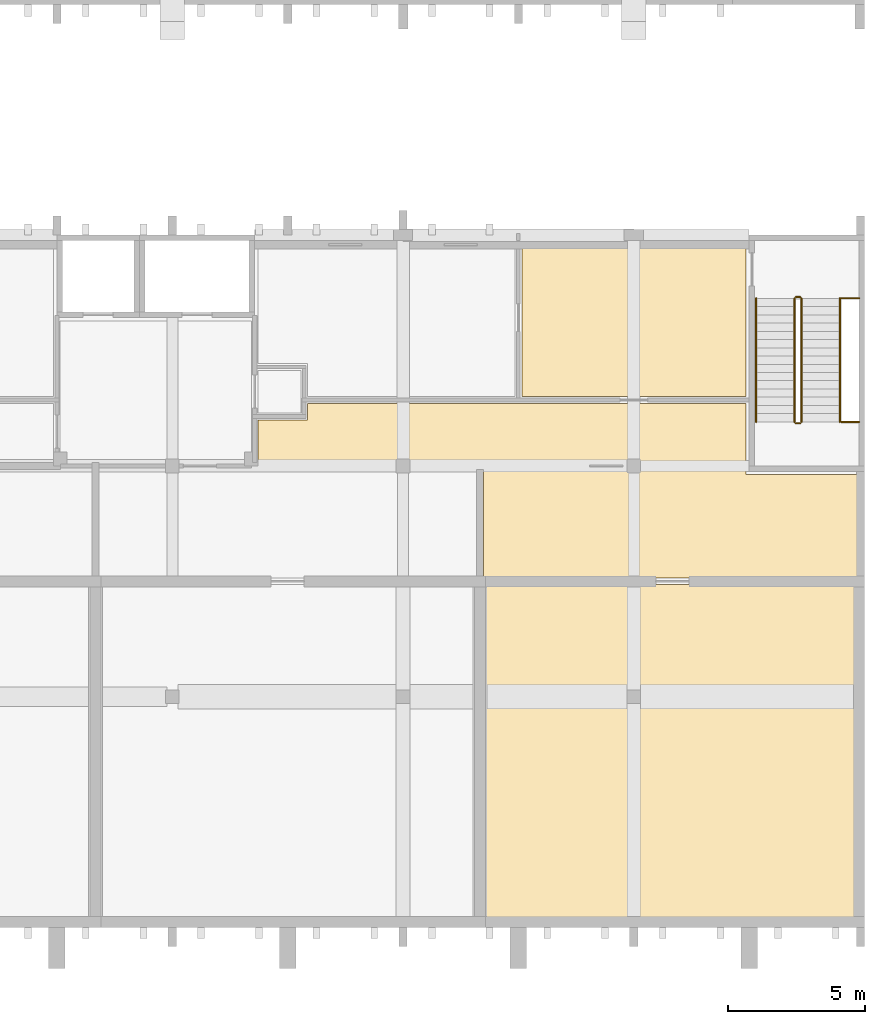
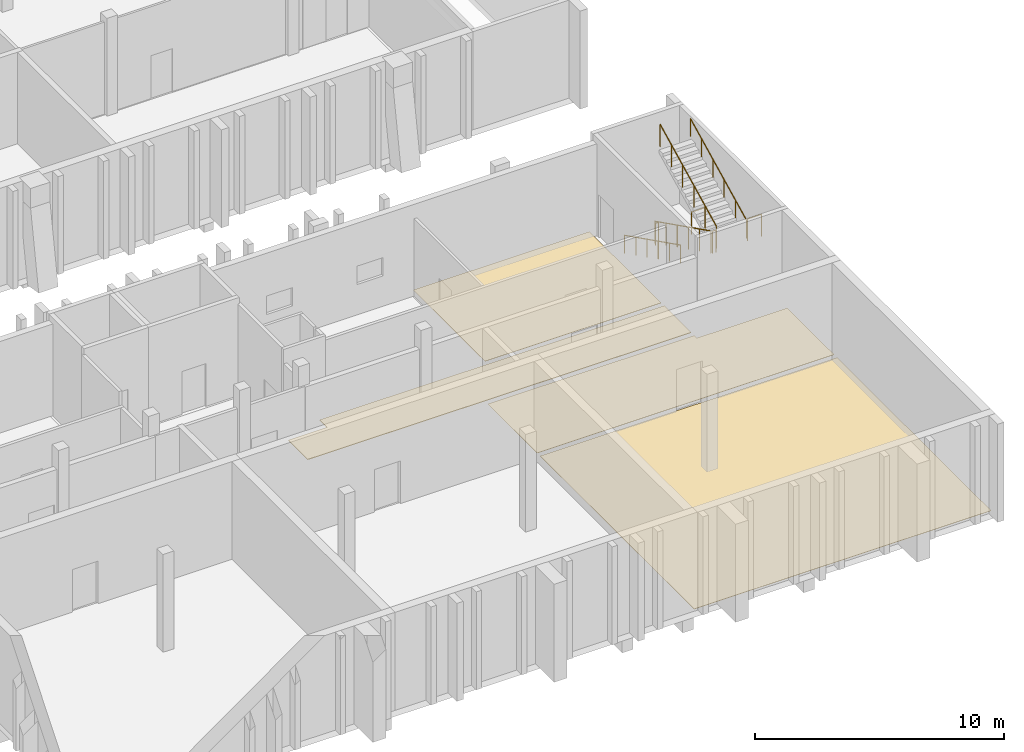
# One storey, part 84 of 86: 8 railings, 4 coverings.
"""IFC4 building model written with IfcOpenShell, lengths in metres."""

import ifcopenshell
import ifcopenshell.guid

model = None  # the IFC model being written
_history = None  # IfcOwnerHistory: only IFC2X3 demands one
_inside = {}  # id of a spatial element -> (the spatial element, [elements in it])
_under = {}  # id of a project, library or spatial element -> (it, [spatial elements below it])
_declared = {}  # id of a project -> (the project, [libraries it declares])
_typed = {}  # id of a type object -> (the type object, [elements of that type])
_made_of = {}  # id of a material, layer set ... -> (it, [elements and type objects made of it])


def new_model(schema):
    """Start an empty IFC model of exactly this schema.

    Asked for "IFC4X3", IfcOpenShell would pick the latest addendum, in which some entities
    have other attributes; the version numbers below select the first issue.
    IFC2X3 requires an IfcOwnerHistory on every rooted entity: one is made here for all.
    """
    global model, _history
    if schema == "IFC4X3":
        model = ifcopenshell.file(schema_version=(4, 3, 0, 0))
    else:
        model = ifcopenshell.file(schema=schema)
    _inside.clear()
    _under.clear()
    _declared.clear()
    _typed.clear()
    _made_of.clear()
    _history = None
    if model.schema == "IFC2X3":
        org = make("IfcOrganization", Name="unknown")
        user = make(
            "IfcPersonAndOrganization",
            ThePerson=make("IfcPerson", FamilyName="unknown"),
            TheOrganization=org,
        )
        app = make(
            "IfcApplication",
            ApplicationDeveloper=org,
            Version="unknown",
            ApplicationFullName="unknown",
            ApplicationIdentifier="unknown",
        )
        _history = make(
            "IfcOwnerHistory",
            OwningUser=user,
            OwningApplication=app,
            ChangeAction="ADDED",
            CreationDate=0,
        )
    return model


def make(cls, **values):
    """One entity of the class cls with the attributes given. An attribute that is None is left unset."""
    return model.create_entity(
        cls, **{name: value for name, value in values.items() if value is not None}
    )


def rooted(cls, **values):
    """An entity with a GlobalId (a new one), such as an element, a storey or a relation."""
    return make(cls, GlobalId=ifcopenshell.guid.new(), OwnerHistory=_history, **values)


def si_unit(unit_type, name, prefix=None):
    """IfcSIUnit, for example si_unit("LENGTHUNIT", "METRE", prefix="MILLI")."""
    return make("IfcSIUnit", UnitType=unit_type, Prefix=prefix, Name=name)


def assignment(units):
    """IfcUnitAssignment: the units of a project."""
    return None if units is None else make("IfcUnitAssignment", Units=units)


def point(xyz):
    """IfcCartesianPoint."""
    return None if xyz is None else make("IfcCartesianPoint", Coordinates=xyz)


def direction(xyz):
    """IfcDirection."""
    return None if xyz is None else make("IfcDirection", DirectionRatios=xyz)


def frame(location, z_axis=None, x_axis=None):
    """IfcAxis2Placement3D, a coordinate frame: its origin and axes. An axis left out is left unset."""
    return make(
        "IfcAxis2Placement3D",
        Location=point(location),
        Axis=direction(z_axis),
        RefDirection=direction(x_axis),
    )


def frame_2d(location, x_axis=None):
    """IfcAxis2Placement2D, a coordinate frame in the plane: its origin and x axis."""
    return make(
        "IfcAxis2Placement2D", Location=point(location), RefDirection=direction(x_axis)
    )


def origin():
    """The frame at (0, 0, 0) with its axes left unset."""
    return frame((0.0, 0.0, 0.0))


def origin_2d():
    """The frame at (0, 0) in the plane with its x axis left unset."""
    return frame_2d((0.0, 0.0))


def place(relative_to, where):
    """IfcLocalPlacement: puts the frame where relative to a parent placement (None: the world)."""
    return make(
        "IfcLocalPlacement", PlacementRelTo=relative_to, RelativePlacement=where
    )


def context(
    kind, dimensions, precision=None, world=None, true_north=None, identifier=None
):
    """IfcGeometricRepresentationContext, for example the 3D "Model" context."""
    return make(
        "IfcGeometricRepresentationContext",
        ContextIdentifier=identifier,
        ContextType=kind,
        CoordinateSpaceDimension=dimensions,
        Precision=precision,
        WorldCoordinateSystem=world,
        TrueNorth=true_north,
    )


def subcontext(parent, identifier, kind, view, scale=None):
    """IfcGeometricRepresentationSubContext, for example "Body" below "Model"."""
    return make(
        "IfcGeometricRepresentationSubContext",
        ContextIdentifier=identifier,
        ContextType=kind,
        ParentContext=parent,
        TargetScale=scale,
        TargetView=view,
    )


def project(units=None, contexts=None):
    """IfcProject with its units and contexts."""
    return rooted(
        "IfcProject",
        Name="project",
        RepresentationContexts=contexts,
        UnitsInContext=assignment(units),
    )


def spatial(cls, under=None, at=None, **own):
    """A site, building, storey or space (cls), placed at a placement, below another one or the project."""
    s = rooted(cls, ObjectPlacement=at, **own)
    if under is not None:
        _under.setdefault(under.id(), (under, []))[1].append(s)
    return s


def polyline(points):
    """IfcPolyline through the points."""
    return make("IfcPolyline", Points=[point(p) for p in points])


def profile(cls, at=None, kind="AREA", **sizes):
    """A parametric profile (cls). Its sizes go by their IFC names, for example OverallWidth=200.0."""
    return make(cls, ProfileType=kind, Position=at, **sizes)


def circle(**sizes):
    """IfcCircleProfileDef."""
    return profile("IfcCircleProfileDef", **sizes)


def outline(outer, holes=None, kind="AREA"):
    """IfcArbitraryClosedProfileDef: a profile drawn as a closed curve; with holes, ...WithVoids."""
    if holes is None:
        return make("IfcArbitraryClosedProfileDef", ProfileType=kind, OuterCurve=outer)
    return make(
        "IfcArbitraryProfileDefWithVoids",
        ProfileType=kind,
        OuterCurve=outer,
        InnerCurves=holes,
    )


def extrude(swept, where, along, depth):
    """IfcExtrudedAreaSolid: the profile swept, set in the frame where, extruded along a direction by depth."""
    return make(
        "IfcExtrudedAreaSolid",
        SweptArea=swept,
        Position=where,
        ExtrudedDirection=direction(along),
        Depth=depth,
    )


def shape(context_of_items, identifier, shape_type, items):
    """IfcShapeRepresentation: the items that make up one representation, for example the "Body"."""
    return make(
        "IfcShapeRepresentation",
        ContextOfItems=context_of_items,
        RepresentationIdentifier=identifier,
        RepresentationType=shape_type,
        Items=items,
    )


def material(Name=None, Category=None):
    """IfcMaterial."""
    return make("IfcMaterial", Name=Name, Category=Category)


def layer(
    of_material, thickness, ventilated=None, Name=None, Category=None, Priority=None
):
    """IfcMaterialLayer: one layer of a wall or slab, of a material (None: an air gap)."""
    return make(
        "IfcMaterialLayer",
        Material=of_material,
        LayerThickness=thickness,
        IsVentilated=ventilated,
        Name=Name,
        Category=Category,
        Priority=Priority,
    )


def layer_set(layers, Name=None):
    """IfcMaterialLayerSet."""
    return make("IfcMaterialLayerSet", MaterialLayers=layers, LayerSetName=Name)


def made_of(thing, what):
    """Note that an element or type object is made of a material, layer set ...; save() writes the relation."""
    if what is not None:
        _made_of.setdefault(what.id(), (what, []))[1].append(thing)
    return thing


def type_object(cls, material=None, **own):
    """A type object (cls), such as IfcWallType, which elements share."""
    return made_of(rooted(cls, **own), material)


def element(
    cls,
    number,
    at=None,
    inside=None,
    cuts=None,
    type_object=None,
    material=None,
    context=None,
    identifier="Body",
    shape_type=None,
    held_by="IfcProductDefinitionShape",
    body=None,
    shapes=None,
    **own,
):
    """One element of the class cls, such as IfcWall. Its Tag is "e" and its number.

    at: its placement. inside: the storey or other place that contains it. cuts: it is an
    opening in that element (IfcRelVoidsElement). A single representation is given by context,
    identifier, shape_type and body (its items); several are given by shapes. held_by: the class
    of the entity that holds the representations. save() writes the other relations.
    """
    e = rooted(cls, Tag="e%d" % number, ObjectPlacement=at, **own)
    if body is not None:
        shapes = [shape(context, identifier, shape_type, body)]
    if shapes is not None:
        e.Representation = make(held_by, Representations=shapes)
    if inside is not None:
        _inside.setdefault(inside.id(), (inside, []))[1].append(e)
    if cuts is not None:
        rooted(
            "IfcRelVoidsElement", RelatingBuildingElement=cuts, RelatedOpeningElement=e
        )
    if type_object is not None:
        _typed.setdefault(type_object.id(), (type_object, []))[1].append(e)
    return made_of(e, material)


def aggregate(whole, parts):
    """IfcRelAggregates: a whole, such as a stair, and the parts it consists of."""
    return rooted("IfcRelAggregates", RelatingObject=whole, RelatedObjects=parts)


def save(model, path):
    """Write the relations noted so far, then the file.

    IfcRelAggregates (storeys below a building ...), IfcRelContainedInSpatialStructure (elements
    in a storey), IfcRelDefinesByType, IfcRelAssociatesMaterial and IfcRelDeclares: one each for
    every whole, place, type object, material and project.
    """
    for whole, parts in _under.values():
        aggregate(whole, parts)
    for where, things in _inside.values():
        rooted(
            "IfcRelContainedInSpatialStructure",
            RelatedElements=things,
            RelatingStructure=where,
        )
    for kind, things in _typed.values():
        rooted("IfcRelDefinesByType", RelatedObjects=things, RelatingType=kind)
    for what, things in _made_of.values():
        rooted("IfcRelAssociatesMaterial", RelatedObjects=things, RelatingMaterial=what)
    for by, libraries in _declared.values():
        rooted("IfcRelDeclares", RelatingContext=by, RelatedDefinitions=libraries)
    model.write(path)


model = new_model("IFC4")

# Units and contexts
model_context = context("Model", 3, precision=1e-05, world=origin(), true_north=direction((0.0, 1.0)))
body_context = subcontext(model_context, "Body", "Model", "MODEL_VIEW")
ifc_project = project(units=[si_unit("LENGTHUNIT", "METRE"), si_unit("AREAUNIT", "SQUARE_METRE"), si_unit("VOLUMEUNIT", "CUBIC_METRE"), si_unit("PLANEANGLEUNIT", "RADIAN"), si_unit("MASSUNIT", "GRAM", prefix="KILO")], contexts=[model_context])

# Site, building, storey
site_placement = place(None, origin())
site = spatial("IfcSite", under=ifc_project, at=site_placement, CompositionType="ELEMENT")
building_placement = place(site_placement, origin())
building = spatial("IfcBuilding", under=site, at=building_placement, Name="Kiln Court Media Centre", CompositionType="ELEMENT")
storey_placement = place(building_placement, frame((0.0, 0.0, 10.199951171875)))
storey = spatial("IfcBuildingStorey", under=building, at=storey_placement, Name="L02", CompositionType="ELEMENT", Elevation=10.199951171875)

# Coverings
ifc_material_1 = material(Name="Carpet tile")
ifc_layer_1 = layer(ifc_material_1, 0.014892578125)
ifc_layer_set_1 = layer_set([ifc_layer_1], Name="Carpet tile floor finish 15")
covering_type_1 = type_object("IfcCoveringType", Name="Carpet tile floor finish 15", PredefinedType="FLOORING", material=ifc_layer_set_1)
covering_1_placement = place(storey_placement, origin())
element("IfcCovering", 1, at=covering_1_placement, inside=storey, type_object=covering_type_1, Name="Radio Studio 3 floor finish", PredefinedType="FLOORING", context=body_context, shape_type="SweptSolid", body=[
    extrude(outline(polyline([(154.1201171875, 0.1201171875), (167.8798828125, 0.1201171875), (167.8798828125, 12.47998046875), (154.1201171875, 12.47998046875), (154.1201171875, 0.1201171875)])), origin(), (0.0, 0.0, 1.0), 0.01513671875),
])
covering_2_placement = place(storey_placement, origin())
element("IfcCovering", 2, at=covering_2_placement, inside=storey, type_object=covering_type_1, Name="Radio Control Room 3 floor finish", PredefinedType="FLOORING", context=body_context, shape_type="SweptSolid", body=[
    extrude(outline(polyline([(167.8798828125, 12.719970703125), (167.8798828125, 16.47998046875), (163.679931640625, 16.47998046875), (163.679931640625, 16.679931640625), (154.1201171875, 16.679931640625), (154.1201171875, 12.719970703125), (167.8798828125, 12.719970703125)])), origin(), (0.0, 0.0, 1.0), 0.01513671875),
])
covering_3_placement = place(storey_placement, origin())
element("IfcCovering", 3, at=covering_3_placement, inside=storey, type_object=covering_type_1, Name="Radio Production Suite floor finish", PredefinedType="FLOORING", context=body_context, shape_type="SweptSolid", body=[
    extrude(outline(polyline([(155.52001953125, 19.320068359375), (163.679931640625, 19.320068359375), (163.679931640625, 25.080078125), (155.52001953125, 25.080078125), (155.52001953125, 19.320068359375)])), origin(), (0.0, 0.0, 1.0), 0.01513671875),
])
ifc_material_2 = material(Name="Terrazzo")
ifc_layer_2 = layer(ifc_material_2, 0.02490234375)
ifc_layer_set_2 = layer_set([ifc_layer_2], Name="Polished terrazzo floor finish 25")
covering_type_2 = type_object("IfcCoveringType", Name="Polished terrazzo floor finish 25", PredefinedType="FLOORING", material=ifc_layer_set_2)
covering_4_placement = place(storey_placement, origin())
element("IfcCovering", 4, at=covering_4_placement, inside=storey, type_object=covering_type_2, Name="Studio Corridor floor finish", PredefinedType="FLOORING", context=body_context, shape_type="SweptSolid", body=[
    extrude(outline(polyline([(163.679931640625, 19.080078125), (147.719970703125, 19.080078125), (147.719970703125, 18.47998046875), (145.919921875, 18.47998046875), (145.919921875, 16.919921875), (163.679931640625, 16.919921875), (163.679931640625, 19.080078125)])), origin(), (0.0, 0.0, 1.0), 0.025146484375),
])

# Railings
ifc_material_3 = material(Name="Steel S275", Category="steel")
railing_type_1 = type_object("IfcRailingType", Name="Steel S275 stair guard 1100", PredefinedType="GUARDRAIL", material=ifc_material_3)
railing_1_placement = place(storey_placement, frame((165.449951171875, 22.89990234375, 0.150146484375)))
element("IfcRailing", 5, at=railing_1_placement, inside=storey, type_object=railing_type_1, Name="ST-17 stair guard", PredefinedType="GUARDRAIL", context=body_context, shape_type="SweptSolid", body=[
    extrude(circle(Radius=0.02392578125, at=origin_2d()), frame((0.0, 0.0, 1.076171875), z_axis=(0.0, -0.894427191, 0.4472135955), x_axis=(1.0, 0.0, 0.0)), (0.0, 0.0, 1.0), 5.03125),
    extrude(circle(Radius=0.02099609375, at=origin_2d()), origin(), (0.0, 0.0, 1.0), 1.052001953125),
    extrude(circle(Radius=0.02099609375, at=origin_2d()), frame((0.0, -0.89990234375, 0.449951171875)), (0.0, 0.0, 1.0), 1.052001953125),
    extrude(circle(Radius=0.02099609375, at=origin_2d()), frame((0.0, -1.800048828125, 0.89990234375)), (0.0, 0.0, 1.0), 1.052001953125),
    extrude(circle(Radius=0.02099609375, at=origin_2d()), frame((0.0, -2.699951171875, 1.35009765625)), (0.0, 0.0, 1.0), 1.052001953125),
    extrude(circle(Radius=0.02099609375, at=origin_2d()), frame((0.0, -3.60009765625, 1.800048828125)), (0.0, 0.0, 1.0), 1.052001953125),
    extrude(circle(Radius=0.02099609375, at=origin_2d()), frame((0.0, -4.5, 2.25)), (0.0, 0.0, 1.0), 1.052001953125),
])
railing_2_placement = place(storey_placement, frame((165.5, 18.35009765625, 2.400146484375)))
element("IfcRailing", 6, at=railing_2_placement, inside=storey, type_object=railing_type_1, Name="ST-17 stair guard", PredefinedType="GUARDRAIL", context=body_context, shape_type="SweptSolid", body=[
    extrude(circle(Radius=0.02392578125, at=origin_2d()), frame((0.0, 0.0, 1.076171875), z_axis=(1.0, 0.0, 0.0), x_axis=(0.0, 1.0, 0.0)), (0.0, 0.0, 1.0), 0.14990234375),
    extrude(circle(Radius=0.02099609375, at=origin_2d()), origin(), (0.0, 0.0, 1.0), 1.052001953125),
    extrude(circle(Radius=0.02099609375, at=origin_2d()), frame((0.14990234375, 0.0, 0.0)), (0.0, 0.0, 1.0), 1.052001953125),
])
railing_3_placement = place(storey_placement, frame((165.699951171875, 18.39990234375, 2.550048828125)))
element("IfcRailing", 7, at=railing_3_placement, inside=storey, type_object=railing_type_1, Name="ST-17 stair guard", PredefinedType="GUARDRAIL", context=body_context, shape_type="SweptSolid", body=[
    extrude(circle(Radius=0.02392578125, at=origin_2d()), frame((0.0, 0.0, 1.076171875), z_axis=(0.0, 0.894427191, 0.4472135955), x_axis=(-1.0, 0.0, 0.0)), (0.0, 0.0, 1.0), 5.03125),
    extrude(circle(Radius=0.02099609375, at=origin_2d()), origin(), (0.0, 0.0, 1.0), 1.052001953125),
    extrude(circle(Radius=0.02099609375, at=origin_2d()), frame((0.0, 0.89990234375, 0.449951171875)), (0.0, 0.0, 1.0), 1.052001953125),
    extrude(circle(Radius=0.02099609375, at=origin_2d()), frame((0.0, 1.800048828125, 0.89990234375)), (0.0, 0.0, 1.0), 1.052001953125),
    extrude(circle(Radius=0.02099609375, at=origin_2d()), frame((0.0, 2.699951171875, 1.35009765625)), (0.0, 0.0, 1.0), 1.052001953125),
    extrude(circle(Radius=0.02099609375, at=origin_2d()), frame((0.0, 3.60009765625, 1.800048828125)), (0.0, 0.0, 1.0), 1.052001953125),
    extrude(circle(Radius=0.02099609375, at=origin_2d()), frame((0.0, 4.5, 2.25)), (0.0, 0.0, 1.0), 1.052001953125),
])
railing_4_placement = place(storey_placement, frame((165.5, 22.949951171875, 0.0)))
element("IfcRailing", 8, at=railing_4_placement, inside=storey, type_object=railing_type_1, Name="ST-17 stair guard", PredefinedType="GUARDRAIL", context=body_context, shape_type="SweptSolid", body=[
    extrude(circle(Radius=0.02392578125, at=origin_2d()), frame((0.0, 0.0, 1.076171875), z_axis=(1.0, 0.0, 0.0), x_axis=(0.0, 1.0, 0.0)), (0.0, 0.0, 1.0), 0.14990234375),
    extrude(circle(Radius=0.02099609375, at=origin_2d()), origin(), (0.0, 0.0, 1.0), 1.052001953125),
    extrude(circle(Radius=0.02099609375, at=origin_2d()), frame((0.14990234375, 0.0, 0.0)), (0.0, 0.0, 1.0), 1.052001953125),
])
for number, where, name in (
    (9, (167.14990234375, 18.39990234375, 2.400146484375), "ST-17 landing edge guard"),
    (10, (167.14990234375, 22.89990234375, 0.0), "ST-17 landing edge guard"),
):
    element("IfcRailing", number, at=place(storey_placement, frame(where)), inside=storey, type_object=railing_type_1, Name=name, PredefinedType="GUARDRAIL", context=body_context, shape_type="SweptSolid", body=[
        extrude(circle(Radius=0.02392578125, at=origin_2d()), frame((0.0, 0.0, 1.076171875), z_axis=(1.0, 0.0, 0.0), x_axis=(0.0, 1.0, 0.0)), (0.0, 0.0, 1.0), 0.650146484375),
        extrude(circle(Radius=0.02099609375, at=origin_2d()), origin(), (0.0, 0.0, 1.0), 1.052001953125),
        extrude(circle(Radius=0.02099609375, at=origin_2d()), frame((0.650146484375, 0.0, 0.0)), (0.0, 0.0, 1.0), 1.052001953125),
    ])
ifc_material_4 = material(Name="Steel S275", Category="steel")
railing_type_2 = type_object("IfcRailingType", Name="Steel S275 stair handrail 900", PredefinedType="HANDRAIL", material=ifc_material_4)
railing_5_placement = place(storey_placement, frame((164.050048828125, 22.89990234375, 0.150146484375)))
element("IfcRailing", 11, at=railing_5_placement, inside=storey, type_object=railing_type_2, Name="ST-17 stair handrail", PredefinedType="HANDRAIL", context=body_context, shape_type="SweptSolid", body=[
    extrude(circle(Radius=0.02392578125, at=origin_2d()), frame((0.0, 0.0, 0.8759765625), z_axis=(0.0, -0.894427191, 0.4472135955), x_axis=(1.0, 0.0, 0.0)), (0.0, 0.0, 1.0), 5.03125),
    extrude(circle(Radius=0.02099609375, at=origin_2d()), origin(), (0.0, 0.0, 1.0), 0.851806640625),
    extrude(circle(Radius=0.02099609375, at=origin_2d()), frame((0.0, -0.89990234375, 0.449951171875)), (0.0, 0.0, 1.0), 0.851806640625),
    extrude(circle(Radius=0.02099609375, at=origin_2d()), frame((0.0, -1.800048828125, 0.89990234375)), (0.0, 0.0, 1.0), 0.851806640625),
    extrude(circle(Radius=0.02099609375, at=origin_2d()), frame((0.0, -2.699951171875, 1.35009765625)), (0.0, 0.0, 1.0), 0.851806640625),
    extrude(circle(Radius=0.02099609375, at=origin_2d()), frame((0.0, -3.60009765625, 1.800048828125)), (0.0, 0.0, 1.0), 0.851806640625),
    extrude(circle(Radius=0.02099609375, at=origin_2d()), frame((0.0, -4.5, 2.25)), (0.0, 0.0, 1.0), 0.851806640625),
])
railing_6_placement = place(storey_placement, frame((167.10009765625, 18.39990234375, 2.550048828125)))
element("IfcRailing", 12, at=railing_6_placement, inside=storey, type_object=railing_type_2, Name="ST-17 stair handrail", PredefinedType="HANDRAIL", context=body_context, shape_type="SweptSolid", body=[
    extrude(circle(Radius=0.02392578125, at=origin_2d()), frame((0.0, 0.0, 0.8759765625), z_axis=(0.0, 0.894427191, 0.4472135955), x_axis=(-1.0, 0.0, 0.0)), (0.0, 0.0, 1.0), 5.03125),
    extrude(circle(Radius=0.02099609375, at=origin_2d()), origin(), (0.0, 0.0, 1.0), 0.851806640625),
    extrude(circle(Radius=0.02099609375, at=origin_2d()), frame((0.0, 0.89990234375, 0.449951171875)), (0.0, 0.0, 1.0), 0.851806640625),
    extrude(circle(Radius=0.02099609375, at=origin_2d()), frame((0.0, 1.800048828125, 0.89990234375)), (0.0, 0.0, 1.0), 0.851806640625),
    extrude(circle(Radius=0.02099609375, at=origin_2d()), frame((0.0, 2.699951171875, 1.35009765625)), (0.0, 0.0, 1.0), 0.851806640625),
    extrude(circle(Radius=0.02099609375, at=origin_2d()), frame((0.0, 3.60009765625, 1.800048828125)), (0.0, 0.0, 1.0), 0.851806640625),
    extrude(circle(Radius=0.02099609375, at=origin_2d()), frame((0.0, 4.5, 2.25)), (0.0, 0.0, 1.0), 0.851806640625),
])

save(model, "model.ifc")
